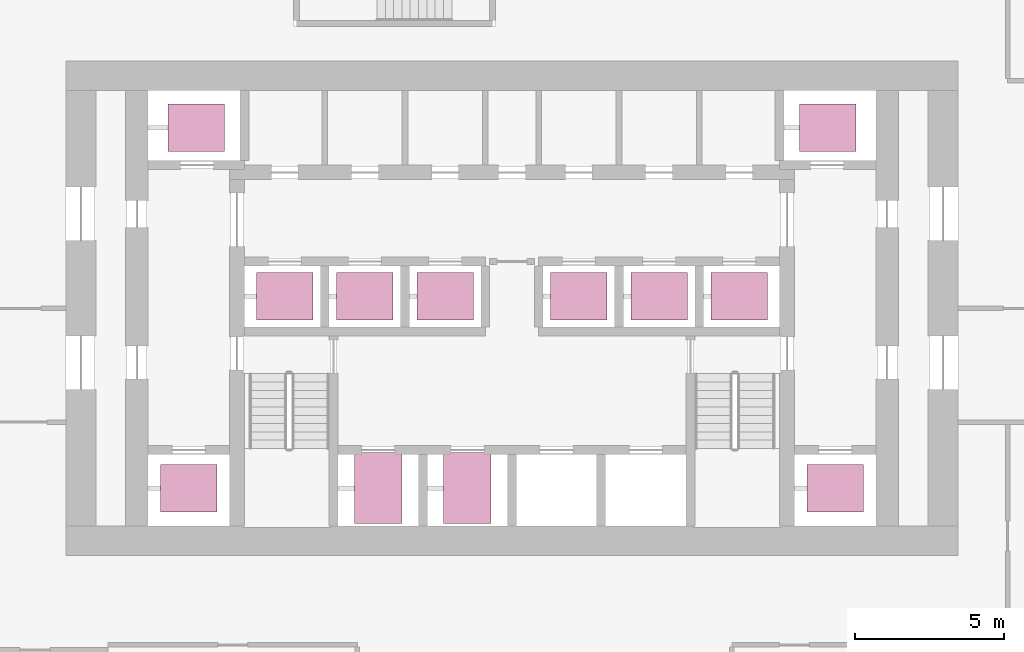
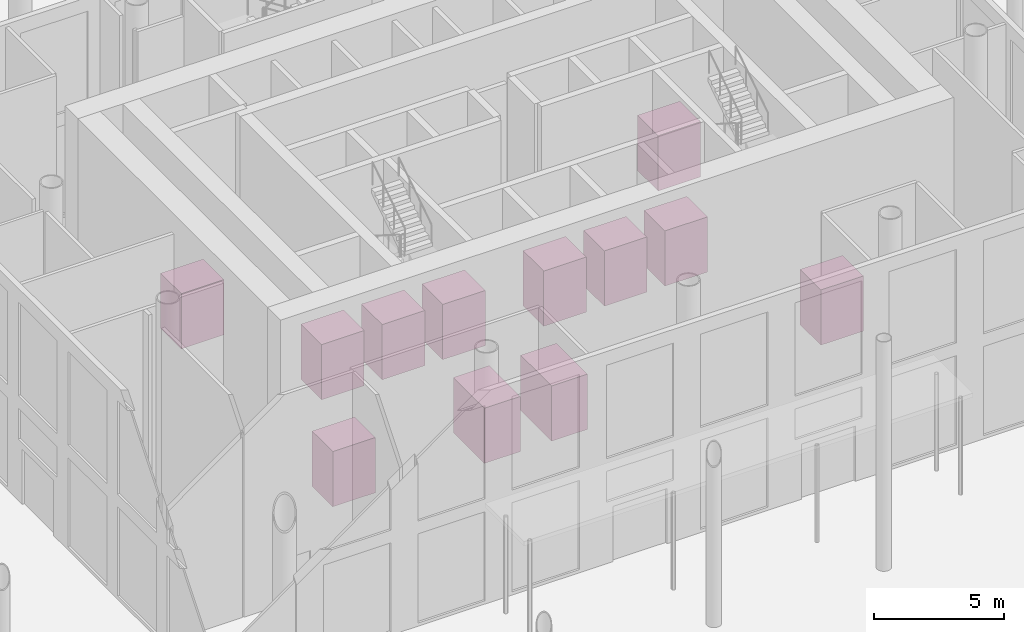
# One storey, part 18 of 18: 12 transport elements.
"""IFC4 building model written with IfcOpenShell, lengths in metres."""

from ifc_helpers import new_model, si_unit, direction, frame, origin, origin_2d, place, context, subcontext, project, spatial, rectangle, extrude, material, type_object, element, save


model = new_model("IFC4")

# Units and contexts
model_context = context("Model", 3, precision=1e-05, world=origin(), true_north=direction((0.0, 1.0)))
body_context = subcontext(model_context, "Body", "Model", "MODEL_VIEW")
ifc_project = project(units=[si_unit("LENGTHUNIT", "METRE"), si_unit("AREAUNIT", "SQUARE_METRE"), si_unit("VOLUMEUNIT", "CUBIC_METRE"), si_unit("PLANEANGLEUNIT", "RADIAN"), si_unit("MASSUNIT", "GRAM", prefix="KILO")], contexts=[model_context])

# Site, building, storey
site_placement = place(None, origin())
site = spatial("IfcSite", under=ifc_project, at=site_placement, CompositionType="ELEMENT")
building_placement = place(site_placement, origin())
building = spatial("IfcBuilding", under=site, at=building_placement, Name="Tskaro Facet Tower", CompositionType="ELEMENT")
storey_placement = place(building_placement, origin())
storey = spatial("IfcBuildingStorey", under=building, at=storey_placement, Name="L00", CompositionType="ELEMENT", Elevation=0.0)

# Transport elements
ifc_material_1 = material(Name="LIFT-FF")
transport_element_type_1 = type_object("IfcTransportElementType", Name="LIFT-FF", PredefinedType="ELEVATOR", material=ifc_material_1)
for number, where, z_axis, x_axis, name in (
    (1, (-4.5, -10.22509765625, 0.0), (0.0, 0.0, 1.0), (1.0, 0.0, 0.0), "Firefighting lift FF1"),
    (2, (-1.5, -10.22509765625, 0.0), (0.0, 0.0, 1.0), (1.0, 0.0, 0.0), "Firefighting lift FF2"),
):
    element("IfcTransportElement", number, at=place(storey_placement, frame(where, z_axis=z_axis, x_axis=x_axis)), inside=storey, type_object=transport_element_type_1, Name=name, PredefinedType="ELEVATOR", context=body_context, shape_type="SweptSolid", body=[
        extrude(rectangle(XDim=1.60009765625, YDim=2.39990234375, at=origin_2d()), origin(), (0.0, 0.0, 1.0), 2.60009765625),
    ])
ifc_material_2 = material(Name="LIFT-LR")
transport_element_type_2 = type_object("IfcTransportElementType", Name="LIFT-LR", PredefinedType="ELEVATOR", material=ifc_material_2)
for number, where, z_axis, x_axis, name in (
    (3, (-7.64990234375, -3.77490234375, 0.0), (0.0, 0.0, 1.0), (1.0, 0.0, 0.0), "Lift LR1"),
    (4, (-4.949951171875, -3.77490234375, 0.0), (0.0, 0.0, 1.0), (1.0, 0.0, 0.0), "Lift LR2"),
    (5, (-2.25, -3.77490234375, 0.0), (0.0, 0.0, 1.0), (1.0, 0.0, 0.0), "Lift LR3"),
    (6, (2.25, -3.77490234375, 0.0), (0.0, 0.0, 1.0), (1.0, 0.0, 0.0), "Lift LR4"),
    (7, (4.949951171875, -3.77490234375, 0.0), (0.0, 0.0, 1.0), (1.0, 0.0, 0.0), "Lift LR5"),
    (8, (7.64990234375, -3.77490234375, 0.0), (0.0, 0.0, 1.0), (1.0, 0.0, 0.0), "Lift LR6"),
):
    element("IfcTransportElement", number, at=place(storey_placement, frame(where, z_axis=z_axis, x_axis=x_axis)), inside=storey, type_object=transport_element_type_2, Name=name, PredefinedType="ELEVATOR", context=body_context, shape_type="SweptSolid", body=[
        extrude(rectangle(XDim=1.89990234375, YDim=1.60009765625, at=origin_2d()), origin(), (0.0, 0.0, 1.0), 2.60009765625),
    ])
ifc_material_3 = material(Name="LIFT-SH")
transport_element_type_3 = type_object("IfcTransportElementType", Name="LIFT-SH", PredefinedType="ELEVATOR", material=ifc_material_3)
for number, where, z_axis, x_axis, name in (
    (9, (-10.875, -10.22509765625, 0.0), (0.0, 0.0, 1.0), (1.0, 0.0, 0.0), "Lift SH1"),
    (10, (10.875, -10.22509765625, 0.0), (0.0, 0.0, 1.0), (1.0, 0.0, 0.0), "Lift SH2"),
    (11, (-10.625, 1.89990234375, 0.0), (0.0, 0.0, 1.0), (1.0, 0.0, 0.0), "Lift SH3"),
    (12, (10.625, 1.89990234375, 0.0), (0.0, 0.0, 1.0), (1.0, 0.0, 0.0), "Lift SH4"),
):
    element("IfcTransportElement", number, at=place(storey_placement, frame(where, z_axis=z_axis, x_axis=x_axis)), inside=storey, type_object=transport_element_type_3, Name=name, PredefinedType="ELEVATOR", context=body_context, shape_type="SweptSolid", body=[
        extrude(rectangle(XDim=1.89990234375, YDim=1.60009765625, at=origin_2d()), origin(), (0.0, 0.0, 1.0), 2.60009765625),
    ])

save(model, "model.ifc")
